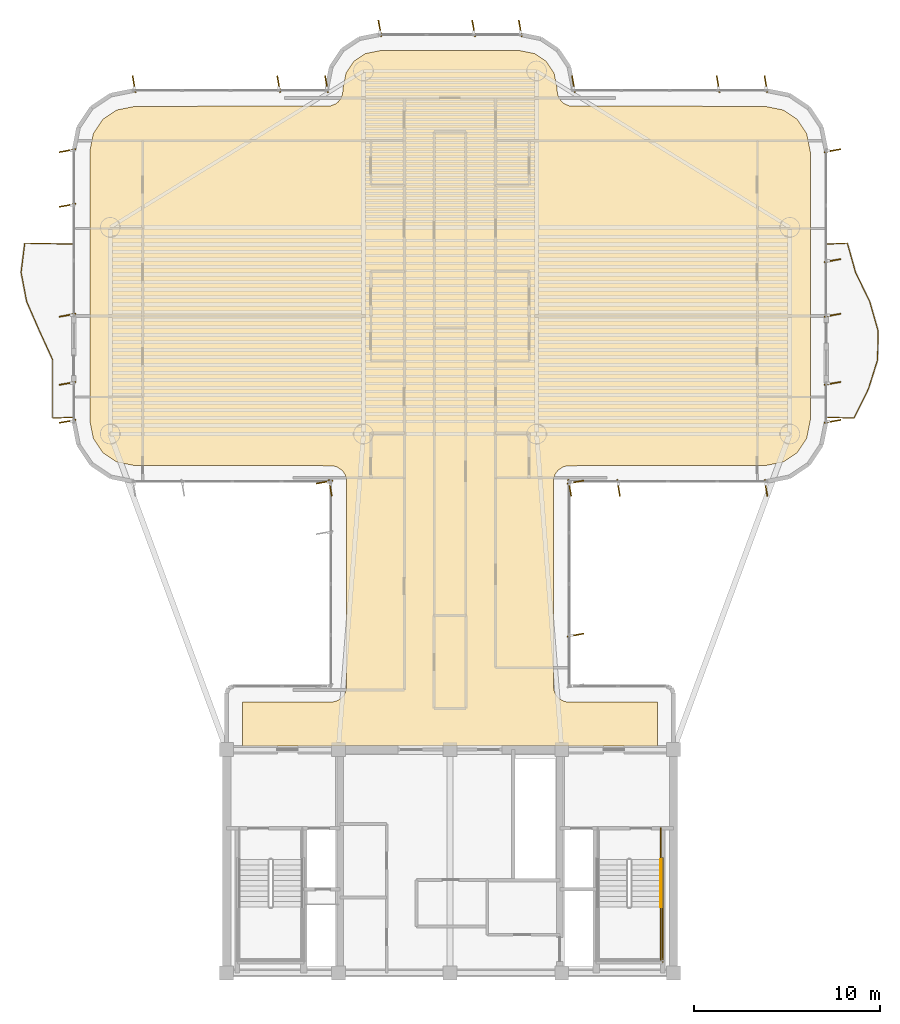
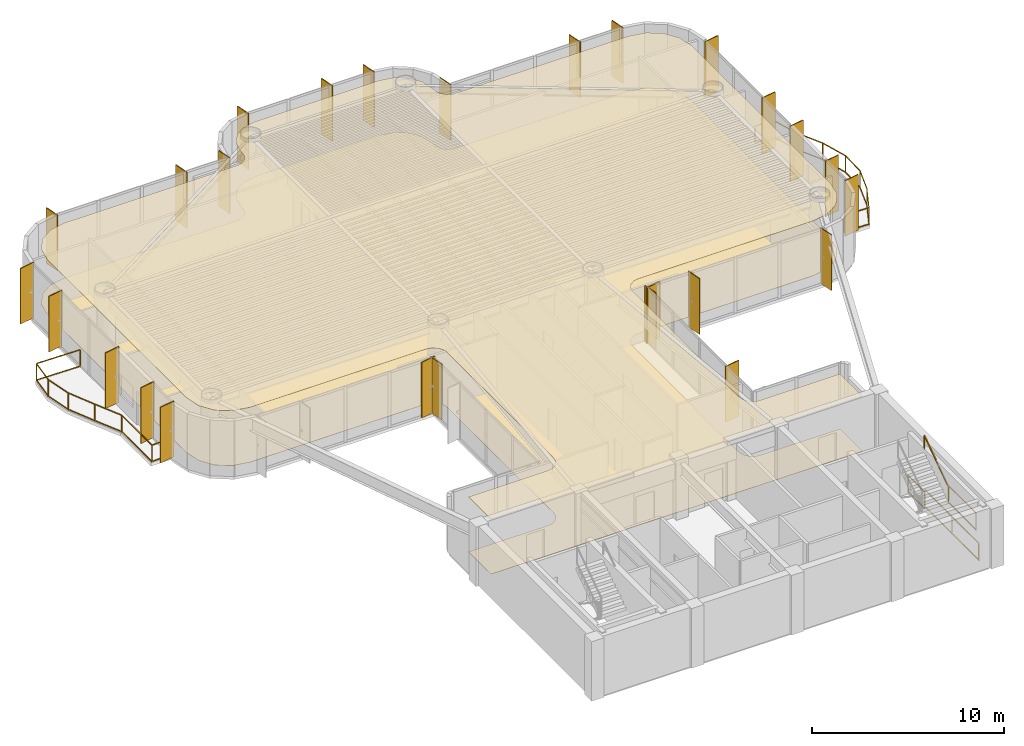
# One storey, part 15 of 15: 26 shading devices, 6 railings, 2 coverings.
"""IFC4 building model written with IfcOpenShell, lengths in metres."""

from ifc_helpers import new_model, si_unit, direction, frame, origin, origin_2d, place, context, subcontext, project, spatial, polyline, rectangle, outline, extrude, source, transform, mapped, material, layer, layer_set, material_profile, profile_set, type_object, element, save


model = new_model("IFC4")

# Units and contexts
model_context = context("Model", 3, precision=1e-05, world=origin(), true_north=direction((0.0, 1.0)))
body_context = subcontext(model_context, "Body", "Model", "MODEL_VIEW")
ifc_project = project(units=[si_unit("LENGTHUNIT", "METRE"), si_unit("AREAUNIT", "SQUARE_METRE"), si_unit("VOLUMEUNIT", "CUBIC_METRE"), si_unit("PLANEANGLEUNIT", "RADIAN"), si_unit("MASSUNIT", "GRAM", prefix="KILO")], contexts=[model_context])

# Site, building, storey
site_placement = place(None, origin())
site = spatial("IfcSite", under=ifc_project, at=site_placement, CompositionType="ELEMENT")
building_placement = place(site_placement, origin())
building = spatial("IfcBuilding", under=site, at=building_placement, Name="Brelvock Crest Care Tower", CompositionType="ELEMENT")
storey_placement = place(building_placement, frame((0.0, 0.0, 163.97998046875)))
storey = spatial("IfcBuildingStorey", under=building, at=storey_placement, Name="L41", CompositionType="ELEMENT", Elevation=163.97998046875)

# Coverings
ifc_material_1 = material(Name="Mineral Fibre Acoustic Ceiling Tile", Category="gypsum")
ifc_layer_1 = layer(ifc_material_1, 0.02490234375, Name="COV-CLG1")
ifc_layer_set_1 = layer_set([ifc_layer_1], Name="Mineral Fibre Acoustic Ceiling Tile")
covering_type_1 = type_object("IfcCoveringType", Name="COV-CLG1", PredefinedType="CEILING", material=ifc_layer_set_1)
covering_1_placement = place(storey_placement, frame((0.0, 0.0, 3.47509765625)))
element("IfcCovering", 1, at=covering_1_placement, inside=storey, type_object=covering_type_1, Name="L41 Acoustic Suspended Ceiling 1", PredefinedType="CEILING", context=body_context, shape_type="SweptSolid", body=[
    extrude(outline(polyline([(24.85009765625, 18.199951171875), (47.14990234375, 18.199951171875), (47.14990234375, 20.550048828125), (42.316650390625, 20.55419921875), (42.1533203125, 20.586669921875), (41.927734375, 20.693359375), (41.742919921875, 20.86083984375), (41.61474609375, 21.07470703125), (41.550048828125, 21.39990234375), (41.56640625, 32.56591796875), (41.650390625, 32.80078125), (41.799072265625, 33.0009765625), (42.07470703125, 33.185302734375), (42.316650390625, 33.245849609375), (52.916259765625, 33.25), (53.892822265625, 33.4443359375), (54.64990234375, 33.9501953125), (55.15576171875, 34.70703125), (55.35009765625, 35.68359375), (55.35009765625, 50.1162109375), (55.15576171875, 51.093017578125), (54.64990234375, 51.849853515625), (53.892822265625, 52.355712890625), (52.916259765625, 52.550048828125), (42.43408203125, 52.56640625), (42.127685546875, 52.693359375), (41.9990234375, 52.799072265625), (41.850341796875, 52.999267578125), (41.766357421875, 53.234130859375), (41.75, 53.516357421875), (41.586181640625, 54.33984375), (41.1669921875, 54.967041015625), (40.539794921875, 55.38623046875), (39.71630859375, 55.550048828125), (32.28369140625, 55.550048828125), (31.460205078125, 55.38623046875), (30.8330078125, 54.967041015625), (30.413818359375, 54.33984375), (30.25, 53.516357421875), (30.233642578125, 53.234130859375), (30.149658203125, 52.999267578125), (30.0009765625, 52.799072265625), (29.872314453125, 52.693359375), (29.56591796875, 52.56640625), (19.083740234375, 52.550048828125), (18.107177734375, 52.355712890625), (17.35009765625, 51.849853515625), (16.84423828125, 51.093017578125), (16.64990234375, 50.1162109375), (16.64990234375, 35.68359375), (16.84423828125, 34.70703125), (17.35009765625, 33.9501953125), (18.107177734375, 33.4443359375), (19.083740234375, 33.25), (29.683349609375, 33.245849609375), (29.92529296875, 33.185302734375), (30.200927734375, 33.0009765625), (30.349609375, 32.80078125), (30.43359375, 32.56591796875), (30.449951171875, 21.39990234375), (30.38525390625, 21.07470703125), (30.257080078125, 20.86083984375), (30.13916015625, 20.742919921875), (29.92529296875, 20.61474609375), (29.683349609375, 20.55419921875), (24.85009765625, 20.550048828125), (24.85009765625, 18.199951171875)])), origin(), (0.0, 0.0, 1.0), 0.02490234375),
])
ifc_material_2 = material(Name="Slip-Resistant Acoustic Vinyl Flooring", Category="finish")
ifc_layer_2 = layer(ifc_material_2, 0.014892578125, Name="COV-FLR1")
ifc_layer_set_2 = layer_set([ifc_layer_2], Name="Slip-Resistant Acoustic Vinyl Flooring")
covering_type_2 = type_object("IfcCoveringType", Name="COV-FLR1", PredefinedType="FLOORING", material=ifc_layer_set_2)
covering_2_placement = place(storey_placement, origin())
element("IfcCovering", 2, at=covering_2_placement, inside=storey, type_object=covering_type_2, Name="L41 Slip-Resistant Acoustic Flooring 1", PredefinedType="FLOORING", context=body_context, shape_type="SweptSolid", body=[
    extrude(outline(polyline([(24.85009765625, 18.199951171875), (47.14990234375, 18.199951171875), (47.14990234375, 20.550048828125), (42.316650390625, 20.55419921875), (42.1533203125, 20.586669921875), (41.927734375, 20.693359375), (41.742919921875, 20.86083984375), (41.61474609375, 21.07470703125), (41.550048828125, 21.39990234375), (41.56640625, 32.56591796875), (41.650390625, 32.80078125), (41.799072265625, 33.0009765625), (42.07470703125, 33.185302734375), (42.316650390625, 33.245849609375), (52.916259765625, 33.25), (53.892822265625, 33.4443359375), (54.64990234375, 33.9501953125), (55.15576171875, 34.70703125), (55.35009765625, 35.68359375), (55.35009765625, 50.1162109375), (55.15576171875, 51.093017578125), (54.64990234375, 51.849853515625), (53.892822265625, 52.355712890625), (52.916259765625, 52.550048828125), (42.43408203125, 52.56640625), (42.127685546875, 52.693359375), (41.9990234375, 52.799072265625), (41.850341796875, 52.999267578125), (41.766357421875, 53.234130859375), (41.75, 53.516357421875), (41.586181640625, 54.33984375), (41.1669921875, 54.967041015625), (40.539794921875, 55.38623046875), (39.71630859375, 55.550048828125), (32.28369140625, 55.550048828125), (31.460205078125, 55.38623046875), (30.8330078125, 54.967041015625), (30.413818359375, 54.33984375), (30.25, 53.516357421875), (30.233642578125, 53.234130859375), (30.149658203125, 52.999267578125), (30.0009765625, 52.799072265625), (29.872314453125, 52.693359375), (29.56591796875, 52.56640625), (19.083740234375, 52.550048828125), (18.107177734375, 52.355712890625), (17.35009765625, 51.849853515625), (16.84423828125, 51.093017578125), (16.64990234375, 50.1162109375), (16.64990234375, 35.68359375), (16.84423828125, 34.70703125), (17.35009765625, 33.9501953125), (18.107177734375, 33.4443359375), (19.083740234375, 33.25), (29.683349609375, 33.245849609375), (29.92529296875, 33.185302734375), (30.200927734375, 33.0009765625), (30.349609375, 32.80078125), (30.43359375, 32.56591796875), (30.449951171875, 21.39990234375), (30.38525390625, 21.07470703125), (30.257080078125, 20.86083984375), (30.13916015625, 20.742919921875), (29.92529296875, 20.61474609375), (29.683349609375, 20.55419921875), (24.85009765625, 20.550048828125), (24.85009765625, 18.199951171875)])), origin(), (0.0, 0.0, 1.0), 0.01513671875),
])

# Railings
ifc_material_3 = material(Name="Dark Glass Double Glazed Low-E", Category="glass")
ifc_layer_3 = layer(ifc_material_3, 0.06005859375, Name="RL-BAL1")
ifc_layer_set_3 = layer_set([ifc_layer_3], Name="Dark Glass Double Glazed Low-E")
railing_type_1 = type_object("IfcRailingType", Name="RL-BAL1", PredefinedType="BALUSTRADE", material=ifc_layer_set_3)
railing_1_placement = place(storey_placement, frame((15.760009765625, 35.85009765625, 0.00390625)))
element("IfcRailing", 3, at=railing_1_placement, inside=storey, type_object=railing_type_1, Name="L41 Safety Balustrade WB-W", PredefinedType="BALUSTRADE", context=body_context, shape_type="SweptSolid", body=[
    extrude(rectangle(XDim=0.048095703125, YDim=0.048095703125, at=origin_2d()), frame((-0.001953125, 0.0, 1.09619140625), z_axis=(-0.998966710972, -0.045447886318, 0.0), x_axis=(0.045447886318, -0.998966710972, 0.0)), (0.0, 0.0, 1.0), 1.09716796875),
    extrude(rectangle(XDim=0.048095703125, YDim=0.048095703125, at=origin_2d()), frame((-0.001953125, 0.0, 0.054931640625), z_axis=(-0.998966710972, -0.045447886318, 0.0), x_axis=(0.045447886318, -0.998966710972, 0.0)), (0.0, 0.0, 1.0), 1.09716796875),
    extrude(rectangle(XDim=0.048095703125, YDim=0.048095703125, at=origin_2d()), frame((-1.10009765625, -0.048095703125, 1.09619140625), z_axis=(0.0, 1.0, 0.0), x_axis=(-1.0, 0.0, 0.0)), (0.0, 0.0, 1.0), 3.12939453125),
    extrude(rectangle(XDim=0.048095703125, YDim=0.048095703125, at=origin_2d()), frame((-1.10009765625, -0.048095703125, 0.054931640625), z_axis=(0.0, 1.0, 0.0), x_axis=(-1.0, 0.0, 0.0)), (0.0, 0.0, 1.0), 3.12939453125),
    extrude(rectangle(XDim=0.048095703125, YDim=0.048095703125, at=origin_2d()), frame((-1.100830078125, 3.0849609375, 1.09619140625), z_axis=(-0.415820047344, 0.909446913364, 0.0), x_axis=(-0.909446913364, -0.415820047344, 0.0)), (0.0, 0.0, 1.0), 1.71875),
    extrude(rectangle(XDim=0.048095703125, YDim=0.048095703125, at=origin_2d()), frame((-1.100830078125, 3.0849609375, 0.054931640625), z_axis=(-0.415820047344, 0.909446913364, 0.0), x_axis=(-0.909446913364, -0.415820047344, 0.0)), (0.0, 0.0, 1.0), 1.71875),
    extrude(rectangle(XDim=0.048095703125, YDim=0.048095703125, at=origin_2d()), frame((-1.817138671875, 4.65185546875, 1.09619140625), z_axis=(-0.399446893418, 0.91675633586, 0.0), x_axis=(-0.91675633586, -0.399446893418, 0.0)), (0.0, 0.0, 1.0), 1.704833984375),
    extrude(rectangle(XDim=0.048095703125, YDim=0.048095703125, at=origin_2d()), frame((-1.817138671875, 4.65185546875, 0.054931640625), z_axis=(-0.399446893418, 0.91675633586, 0.0), x_axis=(-0.91675633586, -0.399446893418, 0.0)), (0.0, 0.0, 1.0), 1.704833984375),
    extrude(rectangle(XDim=0.048095703125, YDim=0.048095703125, at=origin_2d()), frame((-2.49951171875, 6.218505859375, 1.09619140625), z_axis=(-0.186922166331, 0.982374726738, 0.0), x_axis=(-0.982374726738, -0.186922166331, 0.0)), (0.0, 0.0, 1.0), 1.5908203125),
    extrude(rectangle(XDim=0.048095703125, YDim=0.048095703125, at=origin_2d()), frame((-2.49951171875, 6.218505859375, 0.054931640625), z_axis=(-0.186922166331, 0.982374726738, 0.0), x_axis=(-0.982374726738, -0.186922166331, 0.0)), (0.0, 0.0, 1.0), 1.5908203125),
    extrude(rectangle(XDim=0.048095703125, YDim=0.048095703125, at=origin_2d()), frame((-2.796875, 7.78515625, 1.09619140625), z_axis=(0.124167953232, 0.992261215301, 0.0), x_axis=(-0.992261215301, 0.124167953232, 0.0)), (0.0, 0.0, 1.0), 1.574951171875),
    extrude(rectangle(XDim=0.048095703125, YDim=0.048095703125, at=origin_2d()), frame((-2.796875, 7.78515625, 0.054931640625), z_axis=(0.124167953232, 0.992261215301, 0.0), x_axis=(-0.992261215301, 0.124167953232, 0.0)), (0.0, 0.0, 1.0), 1.574951171875),
    extrude(rectangle(XDim=0.048095703125, YDim=0.048095703125, at=origin_2d()), frame((-2.59912109375, 9.349853515625, 1.09619140625), z_axis=(0.999814931814, -0.019238038391, 0.0), x_axis=(0.019238038391, 0.999814931814, 0.0)), (0.0, 0.0, 1.0), 2.59765625),
    extrude(rectangle(XDim=0.048095703125, YDim=0.048095703125, at=origin_2d()), frame((-2.59912109375, 9.349853515625, 0.054931640625), z_axis=(0.999814931814, -0.019238038391, 0.0), x_axis=(0.019238038391, 0.999814931814, 0.0)), (0.0, 0.0, 1.0), 2.59765625),
    extrude(rectangle(XDim=0.0419921875, YDim=0.0419921875, at=origin_2d()), origin(), (0.0, 0.0, 1.0), 1.070068359375),
    extrude(rectangle(XDim=0.0419921875, YDim=0.0419921875, at=origin_2d()), frame((-1.10009765625, -0.050048828125, 0.0)), (0.0, 0.0, 1.0), 1.070068359375),
    extrude(rectangle(XDim=0.0419921875, YDim=0.0419921875, at=origin_2d()), frame((-1.10009765625, 3.083251953125, 0.0)), (0.0, 0.0, 1.0), 1.070068359375),
    extrude(rectangle(XDim=0.0419921875, YDim=0.0419921875, at=origin_2d()), frame((-1.81640625, 4.64990234375, 0.0)), (0.0, 0.0, 1.0), 1.070068359375),
    extrude(rectangle(XDim=0.0419921875, YDim=0.0419921875, at=origin_2d()), frame((-2.4990234375, 6.216552734375, 0.0)), (0.0, 0.0, 1.0), 1.070068359375),
    extrude(rectangle(XDim=0.0419921875, YDim=0.0419921875, at=origin_2d()), frame((-2.797119140625, 7.783203125, 0.0)), (0.0, 0.0, 1.0), 1.070068359375),
    extrude(rectangle(XDim=0.0419921875, YDim=0.0419921875, at=origin_2d()), frame((-2.60107421875, 9.349853515625, 0.0)), (0.0, 0.0, 1.0), 1.070068359375),
    extrude(rectangle(XDim=0.0419921875, YDim=0.0419921875, at=origin_2d()), frame((0.0, 9.2998046875, 0.0)), (0.0, 0.0, 1.0), 1.070068359375),
])
railing_2_placement = place(storey_placement, frame((56.239990234375, 35.85009765625, 0.00390625)))
element("IfcRailing", 4, at=railing_2_placement, inside=storey, type_object=railing_type_1, Name="L41 Safety Balustrade WB-E", PredefinedType="BALUSTRADE", context=body_context, shape_type="SweptSolid", body=[
    extrude(rectangle(XDim=0.048095703125, YDim=0.048095703125, at=origin_2d()), frame((0.001953125, 0.0, 1.09619140625), z_axis=(0.999404799616, -0.034497050669, 0.0), x_axis=(0.034497050669, 0.999404799616, 0.0)), (0.0, 0.0, 1.0), 1.44677734375),
    extrude(rectangle(XDim=0.048095703125, YDim=0.048095703125, at=origin_2d()), frame((0.001953125, 0.0, 0.054931640625), z_axis=(0.999404799616, -0.034497050669, 0.0), x_axis=(0.034497050669, 0.999404799616, 0.0)), (0.0, 0.0, 1.0), 1.44677734375),
    extrude(rectangle(XDim=0.048095703125, YDim=0.048095703125, at=origin_2d()), frame((1.450927734375, -0.04833984375, 1.09619140625), z_axis=(0.44525902638, 0.895401808925, 0.0), x_axis=(-0.895401808925, 0.44525902638, 0.0)), (0.0, 0.0, 1.0), 1.74560546875),
    extrude(rectangle(XDim=0.048095703125, YDim=0.048095703125, at=origin_2d()), frame((1.450927734375, -0.04833984375, 0.054931640625), z_axis=(0.44525902638, 0.895401808925, 0.0), x_axis=(-0.895401808925, 0.44525902638, 0.0)), (0.0, 0.0, 1.0), 1.74560546875),
    extrude(rectangle(XDim=0.048095703125, YDim=0.048095703125, at=origin_2d()), frame((2.2294921875, 1.5185546875, 1.09619140625), z_axis=(0.300533785951, 0.95377116936, 0.0), x_axis=(-0.95377116936, 0.300533785951, 0.0)), (0.0, 0.0, 1.0), 1.638671875),
    extrude(rectangle(XDim=0.048095703125, YDim=0.048095703125, at=origin_2d()), frame((2.2294921875, 1.5185546875, 0.054931640625), z_axis=(0.300533785951, 0.95377116936, 0.0), x_axis=(-0.95377116936, 0.300533785951, 0.0)), (0.0, 0.0, 1.0), 1.638671875),
    extrude(rectangle(XDim=0.048095703125, YDim=0.048095703125, at=origin_2d()), frame((2.72265625, 3.085205078125, 1.09619140625), z_axis=(0.016983680628, 0.999855766895, 0.0), x_axis=(-0.999855766895, 0.016983680628, 0.0)), (0.0, 0.0, 1.0), 1.56298828125),
    extrude(rectangle(XDim=0.048095703125, YDim=0.048095703125, at=origin_2d()), frame((2.72265625, 3.085205078125, 0.054931640625), z_axis=(0.016983680628, 0.999855766895, 0.0), x_axis=(-0.999855766895, 0.016983680628, 0.0)), (0.0, 0.0, 1.0), 1.56298828125),
    extrude(rectangle(XDim=0.048095703125, YDim=0.048095703125, at=origin_2d()), frame((2.748779296875, 4.65185546875, 1.09619140625), z_axis=(-0.275907910991, 0.961184074282, 0.0), x_axis=(-0.961184074282, -0.275907910991, 0.0)), (0.0, 0.0, 1.0), 1.6259765625),
    extrude(rectangle(XDim=0.048095703125, YDim=0.048095703125, at=origin_2d()), frame((2.748779296875, 4.65185546875, 0.054931640625), z_axis=(-0.275907910991, 0.961184074282, 0.0), x_axis=(-0.961184074282, -0.275907910991, 0.0)), (0.0, 0.0, 1.0), 1.6259765625),
    extrude(rectangle(XDim=0.048095703125, YDim=0.048095703125, at=origin_2d()), frame((2.298583984375, 6.21826171875, 1.09619140625), z_axis=(-0.437036809921, 0.899443620675, 0.0), x_axis=(-0.899443620675, -0.437036809921, 0.0)), (0.0, 0.0, 1.0), 1.73779296875),
    extrude(rectangle(XDim=0.048095703125, YDim=0.048095703125, at=origin_2d()), frame((2.298583984375, 6.21826171875, 0.054931640625), z_axis=(-0.437036809921, 0.899443620675, 0.0), x_axis=(-0.899443620675, -0.437036809921, 0.0)), (0.0, 0.0, 1.0), 1.73779296875),
    extrude(rectangle(XDim=0.048095703125, YDim=0.048095703125, at=origin_2d()), frame((1.537841796875, 7.78515625, 1.09619140625), z_axis=(-0.269384986944, 0.963032568924, 0.0), x_axis=(-0.963032568924, -0.269384986944, 0.0)), (0.0, 0.0, 1.0), 1.622802734375),
    extrude(rectangle(XDim=0.048095703125, YDim=0.048095703125, at=origin_2d()), frame((1.537841796875, 7.78515625, 0.054931640625), z_axis=(-0.269384986944, 0.963032568924, 0.0), x_axis=(-0.963032568924, -0.269384986944, 0.0)), (0.0, 0.0, 1.0), 1.622802734375),
    extrude(rectangle(XDim=0.048095703125, YDim=0.048095703125, at=origin_2d()), frame((1.09814453125, 9.349853515625, 1.09619140625), z_axis=(-0.998966710972, -0.045447886318, 0.0), x_axis=(0.045447886318, -0.998966710972, 0.0)), (0.0, 0.0, 1.0), 1.09716796875),
    extrude(rectangle(XDim=0.048095703125, YDim=0.048095703125, at=origin_2d()), frame((1.09814453125, 9.349853515625, 0.054931640625), z_axis=(-0.998966710972, -0.045447886318, 0.0), x_axis=(0.045447886318, -0.998966710972, 0.0)), (0.0, 0.0, 1.0), 1.09716796875),
    extrude(rectangle(XDim=0.0419921875, YDim=0.0419921875, at=origin_2d()), origin(), (0.0, 0.0, 1.0), 1.070068359375),
    extrude(rectangle(XDim=0.0419921875, YDim=0.0419921875, at=origin_2d()), frame((1.449951171875, -0.050048828125, 0.0)), (0.0, 0.0, 1.0), 1.070068359375),
    extrude(rectangle(XDim=0.0419921875, YDim=0.0419921875, at=origin_2d()), frame((2.22900390625, 1.5166015625, 0.0)), (0.0, 0.0, 1.0), 1.070068359375),
    extrude(rectangle(XDim=0.0419921875, YDim=0.0419921875, at=origin_2d()), frame((2.72265625, 3.083251953125, 0.0)), (0.0, 0.0, 1.0), 1.070068359375),
    extrude(rectangle(XDim=0.0419921875, YDim=0.0419921875, at=origin_2d()), frame((2.749267578125, 4.64990234375, 0.0)), (0.0, 0.0, 1.0), 1.070068359375),
    extrude(rectangle(XDim=0.0419921875, YDim=0.0419921875, at=origin_2d()), frame((2.299560546875, 6.216552734375, 0.0)), (0.0, 0.0, 1.0), 1.070068359375),
    extrude(rectangle(XDim=0.0419921875, YDim=0.0419921875, at=origin_2d()), frame((1.538330078125, 7.783203125, 0.0)), (0.0, 0.0, 1.0), 1.070068359375),
    extrude(rectangle(XDim=0.0419921875, YDim=0.0419921875, at=origin_2d()), frame((1.10009765625, 9.349853515625, 0.0)), (0.0, 0.0, 1.0), 1.070068359375),
    extrude(rectangle(XDim=0.0419921875, YDim=0.0419921875, at=origin_2d()), frame((0.0, 9.2998046875, 0.0)), (0.0, 0.0, 1.0), 1.070068359375),
])
ifc_material_4 = material(Name="Steel Grade 350", Category="steel")
ifc_layer_4 = layer(ifc_material_4, 0.050048828125, Name="RL-STG1")
ifc_layer_set_4 = layer_set([ifc_layer_4], Name="Steel Grade 350")
railing_type_2 = type_object("IfcRailingType", Name="RL-STG1", PredefinedType="GUARDRAIL", material=ifc_layer_set_4)
railing_3_placement = place(storey_placement, frame((47.320068359375, 9.56005859375, 1.89013671875)))
element("IfcRailing", 5, at=railing_3_placement, inside=storey, type_object=railing_type_2, Name="L41 ST-2 stair guard 4", PredefinedType="GUARDRAIL", context=body_context, shape_type="SweptSolid", body=[
    extrude(rectangle(XDim=0.048095703125, YDim=0.048095703125, at=origin_2d()), frame((0.0, -0.001953125, 1.11572265625), z_axis=(0.0, -1.0, 0.0), x_axis=(1.0, 0.0, 0.0)), (0.0, 0.0, 1.0), 2.856201171875),
    extrude(rectangle(XDim=0.048095703125, YDim=0.048095703125, at=origin_2d()), frame((0.0, -0.001953125, 0.054931640625), z_axis=(0.0, -1.0, 0.0), x_axis=(1.0, 0.0, 0.0)), (0.0, 0.0, 1.0), 2.856201171875),
    extrude(rectangle(XDim=0.0419921875, YDim=0.0419921875, at=origin_2d()), origin(), (0.0, 0.0, 1.0), 1.08984375),
    extrude(rectangle(XDim=0.0419921875, YDim=0.0419921875, at=origin_2d()), frame((0.0, -2.860107421875, 0.0)), (0.0, 0.0, 1.0), 1.08984375),
])
railing_4_placement = place(storey_placement, frame((47.320068359375, 13.780029296875, 0.0)))
element("IfcRailing", 6, at=railing_4_placement, inside=storey, type_object=railing_type_2, Name="L41 ST-2 stair guard 9", PredefinedType="GUARDRAIL", context=body_context, shape_type="SweptSolid", body=[
    extrude(rectangle(XDim=0.048095703125, YDim=0.048095703125, at=origin_2d()), frame((0.0, -0.001953125, 1.11572265625), z_axis=(0.0, -1.0, 0.0), x_axis=(1.0, 0.0, 0.0)), (0.0, 0.0, 1.0), 1.696044921875),
    extrude(rectangle(XDim=0.048095703125, YDim=0.048095703125, at=origin_2d()), frame((0.0, -0.001953125, 0.054931640625), z_axis=(0.0, -1.0, 0.0), x_axis=(1.0, 0.0, 0.0)), (0.0, 0.0, 1.0), 1.696044921875),
    extrude(rectangle(XDim=0.0419921875, YDim=0.0419921875, at=origin_2d()), origin(), (0.0, 0.0, 1.0), 1.08984375),
    extrude(rectangle(XDim=0.0419921875, YDim=0.0419921875, at=origin_2d()), frame((0.0, -1.699951171875, 0.0)), (0.0, 0.0, 1.0), 1.08984375),
])
railing_5_placement = place(storey_placement, frame((47.419921875, 12.179931640625, 0.0)))
element("IfcRailing", 7, at=railing_5_placement, inside=storey, type_object=railing_type_2, Name="L41 ST-2 stair guard 11", PredefinedType="GUARDRAIL", context=body_context, shape_type="SweptSolid", body=[
    extrude(rectangle(XDim=0.048095703125, YDim=0.048095703125, at=origin_2d()), frame((0.0, -0.001953125, 1.11572265625), z_axis=(0.0, -1.0, 0.0), x_axis=(1.0, 0.0, 0.0)), (0.0, 0.0, 1.0), 5.575927734375),
    extrude(rectangle(XDim=0.048095703125, YDim=0.048095703125, at=origin_2d()), frame((0.0, -0.001953125, 0.054931640625), z_axis=(0.0, -1.0, 0.0), x_axis=(1.0, 0.0, 0.0)), (0.0, 0.0, 1.0), 5.575927734375),
    extrude(rectangle(XDim=0.0419921875, YDim=0.0419921875, at=origin_2d()), origin(), (0.0, 0.0, 1.0), 1.08984375),
    extrude(rectangle(XDim=0.0419921875, YDim=0.0419921875, at=origin_2d()), frame((0.0, -2.7900390625, 0.0)), (0.0, 0.0, 1.0), 1.08984375),
    extrude(rectangle(XDim=0.0419921875, YDim=0.0419921875, at=origin_2d()), frame((0.0, -5.579833984375, 0.0)), (0.0, 0.0, 1.0), 1.08984375),
])
ifc_layer_5 = layer(ifc_material_4, 0.048095703125, Name="RL-STH1")
ifc_layer_set_5 = layer_set([ifc_layer_5], Name="Steel Grade 350")
railing_type_3 = type_object("IfcRailingType", Name="RL-STH1", PredefinedType="HANDRAIL", material=ifc_layer_set_5)
railing_6_placement = place(storey_placement, frame((47.320068359375, 9.56005859375, 2.0791015625)))
element("IfcRailing", 8, at=railing_6_placement, inside=storey, type_object=railing_type_3, Name="L41 ST-2 stair handrail 2", PredefinedType="HANDRAIL", context=body_context, shape_type="SweptSolid", body=[
    extrude(rectangle(XDim=0.048095703125, YDim=0.048095703125, at=origin_2d()), frame((0.0, 0.001708984375, 0.876953125), z_axis=(0.0, 0.828861706735, 0.559453546873), x_axis=(-1.0, 0.0, 0.0)), (0.0, 0.0, 1.0), 3.036376953125),
    extrude(rectangle(XDim=0.0419921875, YDim=0.0419921875, at=origin_2d()), origin(), (0.0, 0.0, 1.0), 0.849853515625),
    extrude(rectangle(XDim=0.0419921875, YDim=0.0419921875, at=origin_2d()), frame((0.0, 2.52001953125, 1.700927734375)), (0.0, 0.0, 1.0), 0.849853515625),
])

# Shading devices
ifc_material_5 = material(Name="Aluminium 6063-T6", Category="aluminium")
ifc_material_profile = material_profile(ifc_material_5, rectangle(XDim=0.054931640625, YDim=0.89990234375, at=origin_2d()), Name="FIN55x900")
ifc_profile_set = profile_set([ifc_material_profile], Name="Aluminium 6063-T6")
shading_device_type = type_object("IfcShadingDeviceType", Name="SHD-FIN1", PredefinedType="USERDEFINED", material=ifc_profile_set)
shared_shape = source(origin(), body_context, "Body", "SweptSolid", [
    extrude(rectangle(XDim=0.054931640625, YDim=0.89990234375, at=origin_2d()), origin(), (0.0, 0.0, 1.0), 3.530029296875),
])
for number, where, z_axis, x_axis, name in (
    (9, (29.260009765625, 32.3701171875, 0.0), (0.0, 0.0, 1.0), (-0.173648177667, 0.984807753012, 0.0), "L41 Vertical Sunshade Fin E11-05"),
    (10, (29.570068359375, 32.06005859375, 0.0), (0.0, 0.0, 1.0), (-0.984807753012, -0.173648177667, 0.0), "L41 Vertical Sunshade Fin E12-01"),
    (11, (15.4599609375, 35.6298828125, 0.0), (0.0, 0.0, 1.0), (-0.173648177667, 0.984807753012, 0.0), "L41 Vertical Sunshade Fin E17A-01"),
    (12, (15.4599609375, 37.669921875, 0.0), (0.0, 0.0, 1.0), (-0.173648177667, 0.984807753012, 0.0), "L41 Vertical Sunshade Fin E17A-02"),
    (13, (15.4599609375, 41.330078125, 0.0), (0.0, 0.0, 1.0), (-0.173648177667, 0.984807753012, 0.0), "L41 Vertical Sunshade Fin E17B-01"),
    (14, (15.4599609375, 47.2333984375, 0.0), (0.0, 0.0, 1.0), (-0.173648177667, 0.984807753012, 0.0), "L41 Vertical Sunshade Fin E17B-03"),
    (15, (15.4599609375, 50.169921875, 0.0), (0.0, 0.0, 1.0), (-0.173648177667, 0.984807753012, 0.0), "L41 Vertical Sunshade Fin E17B-04"),
    (16, (19.030029296875, 53.739990234375, 0.0), (0.0, 0.0, 1.0), (0.984807753012, 0.173648177667, 0.0), "L41 Vertical Sunshade Fin E22-01"),
    (17, (26.800048828125, 53.739990234375, 0.0), (0.0, 0.0, 1.0), (0.984807753012, 0.173648177667, 0.0), "L41 Vertical Sunshade Fin E22-04"),
    (18, (29.3701171875, 53.739990234375, 0.0), (0.0, 0.0, 1.0), (0.984807753012, 0.173648177667, 0.0), "L41 Vertical Sunshade Fin E22-05"),
    (19, (32.22998046875, 56.739990234375, 0.0), (0.0, 0.0, 1.0), (0.984807753012, 0.173648177667, 0.0), "L41 Vertical Sunshade Fin E28-01"),
    (20, (37.2666015625, 56.739990234375, 0.0), (0.0, 0.0, 1.0), (0.984807753012, 0.173648177667, 0.0), "L41 Vertical Sunshade Fin E28-03"),
    (21, (39.77001953125, 56.739990234375, 0.0), (0.0, 0.0, 1.0), (0.984807753012, 0.173648177667, 0.0), "L41 Vertical Sunshade Fin E28-04"),
    (22, (42.6298828125, 53.739990234375, 0.0), (0.0, 0.0, 1.0), (0.984807753012, 0.173648177667, 0.0), "L41 Vertical Sunshade Fin E34-01"),
    (23, (50.39990234375, 53.739990234375, 0.0), (0.0, 0.0, 1.0), (0.984807753012, 0.173648177667, 0.0), "L41 Vertical Sunshade Fin E34-04"),
    (24, (52.969970703125, 53.739990234375, 0.0), (0.0, 0.0, 1.0), (0.984807753012, 0.173648177667, 0.0), "L41 Vertical Sunshade Fin E34-05"),
    (25, (56.5400390625, 50.169921875, 0.0), (0.0, 0.0, 1.0), (0.173648177667, -0.984807753012, 0.0), "L41 Vertical Sunshade Fin E39A-01"),
    (26, (56.5400390625, 44.2666015625, 0.0), (0.0, 0.0, 1.0), (0.173648177667, -0.984807753012, 0.0), "L41 Vertical Sunshade Fin E39A-03"),
    (27, (56.5400390625, 41.330078125, 0.0), (0.0, 0.0, 1.0), (0.173648177667, -0.984807753012, 0.0), "L41 Vertical Sunshade Fin E39A-04"),
    (28, (56.5400390625, 37.669921875, 0.0), (0.0, 0.0, 1.0), (0.173648177667, -0.984807753012, 0.0), "L41 Vertical Sunshade Fin E39B-01"),
    (29, (56.5400390625, 35.6298828125, 0.0), (0.0, 0.0, 1.0), (0.173648177667, -0.984807753012, 0.0), "L41 Vertical Sunshade Fin E39B-02"),
    (30, (52.969970703125, 32.06005859375, 0.0), (0.0, 0.0, 1.0), (-0.984807753012, -0.173648177667, 0.0), "L41 Vertical Sunshade Fin E44-01"),
    (31, (45.050048828125, 32.06005859375, 0.0), (0.0, 0.0, 1.0), (-0.984807753012, -0.173648177667, 0.0), "L41 Vertical Sunshade Fin E44-04"),
    (32, (42.429931640625, 32.06005859375, 0.0), (0.0, 0.0, 1.0), (-0.984807753012, -0.173648177667, 0.0), "L41 Vertical Sunshade Fin E44-05"),
    (33, (42.739990234375, 32.3701171875, 0.0), (0.0, 0.0, 1.0), (0.173648177667, -0.984807753012, 0.0), "L41 Vertical Sunshade Fin E45-01"),
    (34, (42.739990234375, 24.14990234375, 0.0), (0.0, 0.0, 1.0), (0.173648177667, -0.984807753012, 0.0), "L41 Vertical Sunshade Fin E45-04"),
):
    element("IfcShadingDevice", number, at=place(storey_placement, frame(where, z_axis=z_axis, x_axis=x_axis)), inside=storey, type_object=shading_device_type, Name=name, ObjectType="FIN", PredefinedType="USERDEFINED", context=body_context, shape_type="MappedRepresentation", body=[
        mapped(shared_shape, transform((0.0, 0.0, 0.0), x_axis=(1.0, 0.0, 0.0), y_axis=(0.0, 1.0, 0.0), z_axis=(0.0, 0.0, 1.0), scale=1.0)),
    ])

save(model, "model.ifc")
